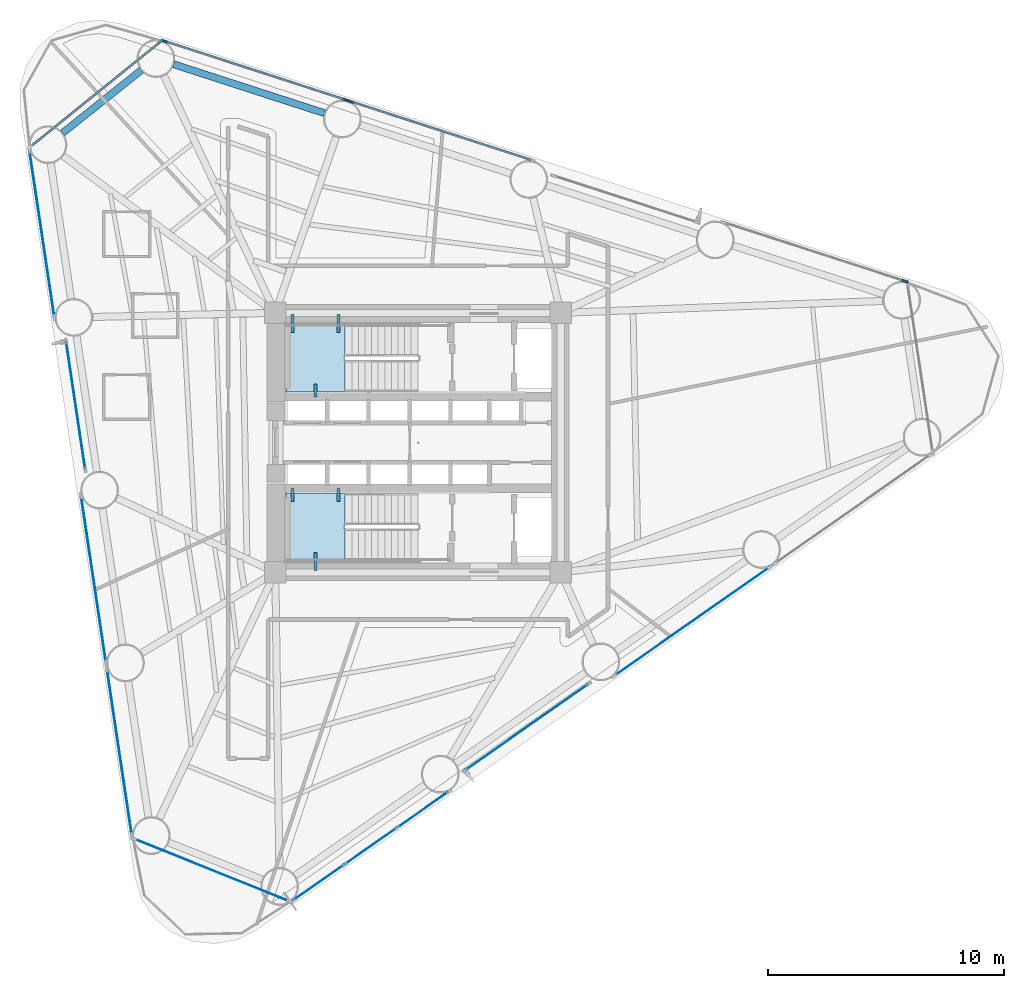
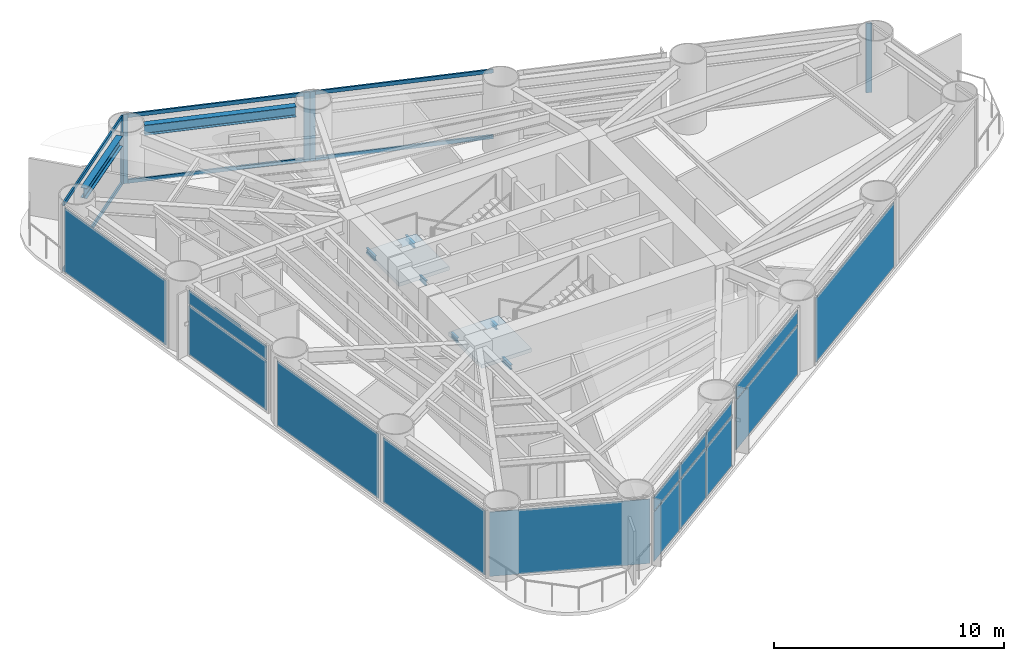
# One storey, part 4 of 11: 17 plates, 11 members, 8 beams, 2 slabs, 14 elements without a shape of their own.
"""IFC4 building model written with IfcOpenShell, lengths in metres."""

from ifc_helpers import new_model, si_unit, direction, frame, origin, origin_2d, place, context, subcontext, project, spatial, polyline, rectangle, i_section, outline, extrude, source, transform, mapped, material, layer, layer_set, material_profile, profile_set, type_object, element, aggregate, save


model = new_model("IFC4")

# Units and contexts
model_context = context("Model", 3, precision=1e-05, world=origin(), true_north=direction((0.0, 1.0)))
body_context = subcontext(model_context, "Body", "Model", "MODEL_VIEW")
ifc_project = project(units=[si_unit("LENGTHUNIT", "METRE"), si_unit("AREAUNIT", "SQUARE_METRE"), si_unit("VOLUMEUNIT", "CUBIC_METRE"), si_unit("PLANEANGLEUNIT", "RADIAN"), si_unit("MASSUNIT", "GRAM", prefix="KILO")], contexts=[model_context])

# Site, building, storey
site_placement = place(None, origin())
site = spatial("IfcSite", under=ifc_project, at=site_placement, CompositionType="ELEMENT")
building_placement = place(site_placement, origin())
building = spatial("IfcBuilding", under=site, at=building_placement, Name="Yunling Apex Tower", CompositionType="ELEMENT")
storey_placement = place(building_placement, frame((0.0, 0.0, 54.800048828125)))
storey = spatial("IfcBuildingStorey", under=building, at=storey_placement, Name="L14", CompositionType="ELEMENT", Elevation=54.800048828125)

# Beams
ifc_material_1 = material(Name="Steel Q355B", Category="steel")
ifc_material_profile_1 = material_profile(ifc_material_1, i_section(OverallWidth=0.125, OverallDepth=0.25, WebThickness=0.006103515625, FlangeThickness=0.009033203125, FilletRadius=0.011962890625, at=origin_2d()))
ifc_profile_set_1 = profile_set([ifc_material_profile_1], Name="Steel Q355B")
beam_type_1 = type_object("IfcBeamType", Name="BL-LNT-1", PredefinedType="LINTEL", material=ifc_profile_set_1)
shared_shape_1 = source(origin(), body_context, "Body", "SweptSolid", [
    extrude(i_section(OverallWidth=0.125, OverallDepth=0.25, WebThickness=0.006103515625, FlangeThickness=0.009033203125, FilletRadius=0.011962890625, at=origin_2d()), origin(), (0.0, 0.0, 1.0), 0.760009765625),
])
for number, where, z_axis, x_axis, name in (
    (1, (-5.320068359375, 5.419921875, 1.554931640625), (0.0, -1.0, 0.0), (1.0, 0.0, 0.0), "L14 ST-1 Landing Bearing Corbel 1-1"),
    (2, (-3.3701171875, 5.419921875, 1.554931640625), (0.0, -1.0, 0.0), (1.0, 0.0, 0.0), "L14 ST-1 Landing Bearing Corbel 1-2"),
    (3, (-4.344970703125, -5.419921875, 1.554931640625), (0.0, 1.0, 0.0), (-1.0, 0.0, 0.0), "L14 ST-2 Landing Bearing Corbel 1-3"),
):
    element("IfcBeam", number, at=place(storey_placement, frame(where, z_axis=z_axis, x_axis=x_axis)), inside=storey, type_object=beam_type_1, Name=name, PredefinedType="LINTEL", context=body_context, shape_type="MappedRepresentation", body=[
        mapped(shared_shape_1, transform((0.0, 0.0, 0.0), scale=1.0)),
    ])
shared_shape_2 = source(origin(), body_context, "Body", "SweptSolid", [
    extrude(i_section(OverallWidth=0.125, OverallDepth=0.25, WebThickness=0.006103515625, FlangeThickness=0.009033203125, FilletRadius=0.011962890625, at=origin_2d()), origin(), (0.0, 0.0, 1.0), 0.550048828125),
])
for number, where, z_axis, x_axis, name in (
    (4, (-4.344970703125, 1.93994140625, 1.554931640625), (0.0, 1.0, 0.0), (-1.0, 0.0, 0.0), "L14 ST-1 Landing Bearing Corbel 1-3"),
    (5, (-5.320068359375, -1.93994140625, 1.554931640625), (0.0, -1.0, 0.0), (1.0, 0.0, 0.0), "L14 ST-2 Landing Bearing Corbel 1-1"),
    (6, (-3.3701171875, -1.93994140625, 1.554931640625), (0.0, -1.0, 0.0), (1.0, 0.0, 0.0), "L14 ST-2 Landing Bearing Corbel 1-2"),
):
    element("IfcBeam", number, at=place(storey_placement, frame(where, z_axis=z_axis, x_axis=x_axis)), inside=storey, type_object=beam_type_1, Name=name, PredefinedType="LINTEL", context=body_context, shape_type="MappedRepresentation", body=[
        mapped(shared_shape_2, transform((0.0, 0.0, 0.0), scale=1.0)),
    ])
ifc_material_profile_2 = material_profile(ifc_material_1, i_section(OverallWidth=0.300048828125, OverallDepth=0.5400390625, WebThickness=0.011962890625, FlangeThickness=0.02001953125, FilletRadius=0.02392578125, at=origin_2d()))
ifc_profile_set_2 = profile_set([ifc_material_profile_2], Name="Steel Q355B")
beam_type_2 = type_object("IfcBeamType", Name="BP-SPN-1", PredefinedType="SPANDREL", material=ifc_profile_set_2)
shared_shape_3 = source(origin(), body_context, "Body", "SweptSolid", [
    extrude(i_section(OverallWidth=0.300048828125, OverallDepth=0.5400390625, WebThickness=0.011962890625, FlangeThickness=0.02001953125, FilletRadius=0.02392578125, at=origin_2d()), origin(), (0.0, 0.0, 1.0), 6.721435546875),
])
beam_1_placement = place(storey_placement, frame((-3.96484375, 13.9638671875, 3.294921875), z_axis=(-0.95126256707, 0.308382114415, 0.0), x_axis=(-0.308382114415, -0.95126256707, 0.0)))
element("IfcBeam", 7, at=beam_1_placement, inside=storey, type_object=beam_type_2, Name="L14 Perimeter Spandrel Beam 9", PredefinedType="SPANDREL", context=body_context, shape_type="MappedRepresentation", body=[
    mapped(shared_shape_3, transform((0.0, 0.0, 0.0), scale=1.0)),
])
shared_shape_4 = source(origin(), body_context, "Body", "SweptSolid", [
    extrude(i_section(OverallWidth=0.300048828125, OverallDepth=0.5400390625, WebThickness=0.011962890625, FlangeThickness=0.02001953125, FilletRadius=0.02392578125, at=origin_2d()), origin(), (0.0, 0.0, 1.0), 4.265869140625),
])
beam_2_placement = place(storey_placement, frame((-11.734619140625, 15.785888671875, 3.294921875), z_axis=(-0.781560697893, -0.623829203796, 0.0), x_axis=(0.623829203796, -0.781560697893, 0.0)))
element("IfcBeam", 8, at=beam_2_placement, inside=storey, type_object=beam_type_2, Name="L14 Perimeter Spandrel Beam 10", PredefinedType="SPANDREL", context=body_context, shape_type="MappedRepresentation", body=[
    mapped(shared_shape_4, transform((0.0, 0.0, 0.0), scale=1.0)),
])

# Curtain wall, member
ifc_material_2 = material(Name="Bronze anodised aluminium", Category="aluminium")
ifc_layer_1 = layer(ifc_material_2, 0.260009765625)
ifc_layer_set_1 = layer_set([ifc_layer_1], Name="Bronze anodised aluminium")
curtain_wall_type = type_object("IfcCurtainWallType", Name="CW-SYS-2", PredefinedType="NOTDEFINED", material=ifc_layer_set_1)
curtain_wall_1_placement = place(storey_placement, origin())
curtain_wall_1 = element("IfcCurtainWall", 9, at=curtain_wall_1_placement, inside=storey, type_object=curtain_wall_type, Name="CW-L14-F2-B1", PredefinedType="NOTDEFINED")
ifc_material_profile_3 = material_profile(ifc_material_2, rectangle(XDim=0.0849609375, YDim=0.260009765625, at=origin_2d()))
ifc_profile_set_3 = profile_set([ifc_material_profile_3], Name="Bronze anodised aluminium")
member_type_1 = type_object("IfcMemberType", Name="CW-MUL-2", PredefinedType="MULLION", material=ifc_profile_set_3)
shared_shape_5 = source(origin(), body_context, "Body", "SweptSolid", [
    extrude(rectangle(XDim=0.0849609375, YDim=0.260009765625, at=origin_2d()), origin(), (0.0, 0.0, 1.0), 3.6650390625),
])
member_1_placement = place(storey_placement, frame((20.63671875, 6.8408203125, -0.050048828125), z_axis=(0.0, 0.0, 1.0), x_axis=(-0.30835735341, -0.951270593784, 0.0)))
member_1 = element("IfcMember", 10, at=member_1_placement, type_object=member_type_1, Name="CW-SYS-2 mullion 1", PredefinedType="MULLION", context=body_context, shape_type="MappedRepresentation", body=[
    mapped(shared_shape_5, transform((0.0, 0.0, 0.0), scale=1.0)),
])
aggregate(curtain_wall_1, [member_1])

curtain_wall_2_placement = place(storey_placement, origin())
curtain_wall_2 = element("IfcCurtainWall", 11, at=curtain_wall_2_placement, inside=storey, type_object=curtain_wall_type, Name="CW-L14-F2-B3", PredefinedType="NOTDEFINED")
member_2_placement = place(storey_placement, frame((-2.84326171875, 14.451904296875, -0.050048828125), z_axis=(0.0, 0.0, 1.0), x_axis=(-0.308368457544, -0.951266994272, 0.0)))
member_2 = element("IfcMember", 12, at=member_2_placement, type_object=member_type_1, Name="CW-SYS-2 mullion 2", PredefinedType="MULLION", context=body_context, shape_type="MappedRepresentation", body=[
    mapped(shared_shape_5, transform((0.0, 0.0, 0.0), scale=1.0)),
])

# Curtain wall, members
curtain_wall_3_placement = place(storey_placement, origin())
curtain_wall_3 = element("IfcCurtainWall", 13, at=curtain_wall_3_placement, inside=storey, type_object=curtain_wall_type, Name="CW-L14-F2-B4", PredefinedType="NOTDEFINED")
member_3_placement = place(storey_placement, frame((-3.076416015625, 14.52734375, -0.050048828125), z_axis=(0.0, 0.0, 1.0), x_axis=(-0.30835735341, -0.951270593784, 0.0)))
member_3 = element("IfcMember", 14, at=member_3_placement, type_object=member_type_1, Name="CW-SYS-2 mullion 1", PredefinedType="MULLION", context=body_context, shape_type="MappedRepresentation", body=[
    mapped(shared_shape_5, transform((0.0, 0.0, 0.0), scale=1.0)),
])
member_4_placement = place(storey_placement, frame((-10.747802734375, 17.01416015625, -0.050048828125), z_axis=(0.0, 0.0, 1.0), x_axis=(-0.30835735341, -0.951270593784, 0.0)))
member_4 = element("IfcMember", 15, at=member_4_placement, type_object=member_type_1, Name="CW-SYS-2 mullion 2", PredefinedType="MULLION", context=body_context, shape_type="MappedRepresentation", body=[
    mapped(shared_shape_5, transform((0.0, 0.0, 0.0), scale=1.0)),
])

# Curtain wall, member
curtain_wall_4_placement = place(storey_placement, origin())
curtain_wall_4 = element("IfcCurtainWall", 16, at=curtain_wall_4_placement, inside=storey, type_object=curtain_wall_type, Name="CW-L14-CRN2", PredefinedType="NOTDEFINED")
member_5_placement = place(storey_placement, frame((-10.903564453125, 17.006103515625, -0.050048828125), z_axis=(0.0, 0.0, 1.0), x_axis=(0.628079941911, -0.778148820322, 0.0)))
member_5 = element("IfcMember", 17, at=member_5_placement, type_object=member_type_1, Name="CW-SYS-2 mullion 1", PredefinedType="MULLION", context=body_context, shape_type="MappedRepresentation", body=[
    mapped(shared_shape_5, transform((0.0, 0.0, 0.0), scale=1.0)),
])

# Member
ifc_material_profile_4 = material_profile(ifc_material_2, rectangle(XDim=0.0849609375, YDim=0.199951171875, at=origin_2d()))
ifc_profile_set_4 = profile_set([ifc_material_profile_4], Name="Bronze anodised aluminium")
member_type_2 = type_object("IfcMemberType", Name="CW-TRN-2", PredefinedType="USERDEFINED", material=ifc_profile_set_4)
shared_shape_6 = source(origin(), body_context, "Body", "SweptSolid", [
    extrude(rectangle(XDim=0.0849609375, YDim=0.199951171875, at=origin_2d()), origin(), (0.0, 0.0, 1.0), 7.98779296875),
])
member_6_placement = place(storey_placement, frame((4.79150390625, 11.976806640625, 0.04248046875), z_axis=(-0.951258205262, 0.308395568907, 0.0), x_axis=(-0.308395568907, -0.951258205262, 0.0)))
member_6 = element("IfcMember", 18, at=member_6_placement, type_object=member_type_2, Name="CW-SYS-2 transom 1.1", ObjectType="TRANSOM", PredefinedType="USERDEFINED", context=body_context, shape_type="MappedRepresentation", body=[
    mapped(shared_shape_6, transform((0.0, 0.0, 0.0), scale=1.0)),
])

member_7_placement = place(storey_placement, frame((4.79150390625, 11.976806640625, 3.5224609375), z_axis=(-0.951258205262, 0.308395568907, 0.0), x_axis=(-0.308395568907, -0.951258205262, 0.0)))
member_7 = element("IfcMember", 19, at=member_7_placement, type_object=member_type_2, Name="CW-SYS-2 transom 1.2", ObjectType="TRANSOM", PredefinedType="USERDEFINED", context=body_context, shape_type="MappedRepresentation", body=[
    mapped(shared_shape_6, transform((0.0, 0.0, 0.0), scale=1.0)),
])

aggregate(curtain_wall_2, [member_2, member_6, member_7])

member_8_placement = place(storey_placement, frame((-3.11279296875, 14.539306640625, 0.04248046875), z_axis=(-0.951279042821, 0.308331287237, 0.0), x_axis=(-0.308331287237, -0.951279042821, 0.0)))
member_8 = element("IfcMember", 20, at=member_8_placement, type_object=member_type_2, Name="CW-SYS-2 transom 1.1", ObjectType="TRANSOM", PredefinedType="USERDEFINED", context=body_context, shape_type="MappedRepresentation", body=[
    mapped(shared_shape_6, transform((0.0, 0.0, 0.0), scale=1.0)),
])

member_9_placement = place(storey_placement, frame((-3.11279296875, 14.539306640625, 3.5224609375), z_axis=(-0.951279042821, 0.308331287237, 0.0), x_axis=(-0.308331287237, -0.951279042821, 0.0)))
member_9 = element("IfcMember", 21, at=member_9_placement, type_object=member_type_2, Name="CW-SYS-2 transom 1.2", ObjectType="TRANSOM", PredefinedType="USERDEFINED", context=body_context, shape_type="MappedRepresentation", body=[
    mapped(shared_shape_6, transform((0.0, 0.0, 0.0), scale=1.0)),
])

aggregate(curtain_wall_3, [member_3, member_4, member_8, member_9])

shared_shape_7 = source(origin(), body_context, "Body", "SweptSolid", [
    extrude(rectangle(XDim=0.0849609375, YDim=0.199951171875, at=origin_2d()), origin(), (0.0, 0.0, 1.0), 7.03515625),
])
member_10_placement = place(storey_placement, frame((-10.933349609375, 16.982177734375, 0.04248046875), z_axis=(-0.778142739989, -0.628087474961, 0.0), x_axis=(0.628087474961, -0.778142739989, 0.0)))
member_10 = element("IfcMember", 22, at=member_10_placement, type_object=member_type_2, Name="CW-SYS-2 transom 1.1", ObjectType="TRANSOM", PredefinedType="USERDEFINED", context=body_context, shape_type="MappedRepresentation", body=[
    mapped(shared_shape_7, transform((0.0, 0.0, 0.0), scale=1.0)),
])

member_11_placement = place(storey_placement, frame((-10.933349609375, 16.982177734375, 3.5224609375), z_axis=(-0.778142739989, -0.628087474961, 0.0), x_axis=(0.628087474961, -0.778142739989, 0.0)))
member_11 = element("IfcMember", 23, at=member_11_placement, type_object=member_type_2, Name="CW-SYS-2 transom 1.2", ObjectType="TRANSOM", PredefinedType="USERDEFINED", context=body_context, shape_type="MappedRepresentation", body=[
    mapped(shared_shape_7, transform((0.0, 0.0, 0.0), scale=1.0)),
])

aggregate(curtain_wall_4, [member_5, member_10, member_11])

# Stair, slab
ifc_material_3 = material(Name="Concrete C40", Category="concrete")
stair_type = type_object("IfcStairType", Name="ST-TWR-1", PredefinedType="HALF_TURN_STAIR", material=ifc_material_3)
stair_1_placement = place(storey_placement, origin())
stair_1 = element("IfcStair", 24, at=stair_1_placement, inside=storey, type_object=stair_type, Name="L14 North Core Smokeproof Exit Stair ST-1", PredefinedType="HALF_TURN_STAIR")
ifc_layer_2 = layer(ifc_material_3, 0.195068359375)
ifc_layer_set_2 = layer_set([ifc_layer_2], Name="Concrete C40")
slab_type = type_object("IfcSlabType", Name="SL-LND-1", PredefinedType="LANDING", material=ifc_layer_set_2)
slab_1_placement = place(storey_placement, frame((0.0, 0.0, 1.679931640625)))
slab_1 = element("IfcSlab", 25, at=slab_1_placement, type_object=slab_type, Name="ST-1 landing 1", PredefinedType="LANDING", context=body_context, shape_type="SweptSolid", body=[
    extrude(outline(polyline([(-3.090087890625, 5.010009765625), (-5.60009765625, 5.010009765625), (-5.60009765625, 2.139892578125), (-3.090087890625, 2.139892578125), (-3.090087890625, 5.010009765625)])), origin(), (0.0, 0.0, 1.0), 0.195068359375),
])
aggregate(stair_1, [slab_1])

stair_2_placement = place(storey_placement, origin())
stair_2 = element("IfcStair", 26, at=stair_2_placement, inside=storey, type_object=stair_type, Name="L14 South Core Smokeproof Exit Stair ST-2", PredefinedType="HALF_TURN_STAIR")
slab_2_placement = place(storey_placement, frame((0.0, 0.0, 1.679931640625)))
slab_2 = element("IfcSlab", 27, at=slab_2_placement, type_object=slab_type, Name="ST-2 landing 1", PredefinedType="LANDING", context=body_context, shape_type="SweptSolid", body=[
    extrude(outline(polyline([(-3.090087890625, -2.139892578125), (-5.60009765625, -2.139892578125), (-5.60009765625, -5.010009765625), (-3.090087890625, -5.010009765625), (-3.090087890625, -2.139892578125)])), origin(), (0.0, 0.0, 1.0), 0.195068359375),
])
aggregate(stair_2, [slab_2])

# Plates
ifc_layer_3 = layer(ifc_material_2, 0.011962890625)
ifc_layer_set_3 = layer_set([ifc_layer_3], Name="Bronze anodised aluminium")
plate_type_1 = type_object("IfcPlateType", Name="SP-SHT-1", PredefinedType="SHEET", material=ifc_layer_set_3)
shared_shape_8 = source(origin(), body_context, "Body", "SweptSolid", [
    extrude(rectangle(XDim=1.800048828125, YDim=0.02392578125, at=origin_2d()), origin(), (0.0, 0.0, 1.0), 0.43994140625),
])
for number, where, z_axis, x_axis, name in (
    (28, (4.615966796875, -12.0625, 3.1650390625), (0.0, 0.0, 1.0), (0.819552276527, 0.573004420611, 0.0), "SP-GRV-L14-F1"),
    (29, (-14.51220703125, 1.57470703125, 3.1650390625), (0.0, 0.0, 1.0), (0.14780941113, -0.989015863362, 0.0), "SP-GRV-L14-F3"),
):
    element("IfcPlate", number, at=place(storey_placement, frame(where, z_axis=z_axis, x_axis=x_axis)), inside=storey, type_object=plate_type_1, Name=name, PredefinedType="SHEET", context=body_context, shape_type="MappedRepresentation", body=[
        mapped(shared_shape_8, transform((0.0, 0.0, 0.0), scale=1.0)),
    ])

# Curtain wall, plates
curtain_wall_5_placement = place(storey_placement, origin())
curtain_wall_5 = element("IfcCurtainWall", 30, at=curtain_wall_5_placement, inside=storey, type_object=curtain_wall_type, Name="CW-L14-F1-B1", PredefinedType="NOTDEFINED")
ifc_material_4 = material(Name="Bronze tinted low-E glass", Category="glass")
ifc_layer_4 = layer(ifc_material_4, 0.033935546875)
ifc_layer_set_4 = layer_set([ifc_layer_4], Name="Bronze tinted low-E glass")
plate_type_2 = type_object("IfcPlateType", Name="CW-PNL-2", PredefinedType="CURTAIN_PANEL", material=ifc_layer_set_4)
shared_shape_9 = source(origin(), body_context, "Body", "SweptSolid", [
    extrude(rectangle(XDim=2.60546875, YDim=0.033935546875, at=origin_2d()), origin(), (0.0, 0.0, 1.0), 2.60400390625),
])
plate_1_placement = place(storey_placement, frame((-4.2080078125, -18.64697265625, 0.07666015625), z_axis=(0.0, 0.0, 1.0), x_axis=(0.819552319691, 0.573004358875, 0.0)))
plate_1 = element("IfcPlate", 31, at=plate_1_placement, type_object=plate_type_2, Name="CW-SYS-2 panel 1.1", PredefinedType="CURTAIN_PANEL", context=body_context, shape_type="MappedRepresentation", body=[
    mapped(shared_shape_9, transform((0.0, 0.0, 0.0), scale=1.0)),
])
plate_2_placement = place(storey_placement, frame((0.209716796875, -15.55810546875, 0.07666015625), z_axis=(0.0, 0.0, 1.0), x_axis=(0.819552319691, 0.573004358875, 0.0)))
plate_2 = element("IfcPlate", 32, at=plate_2_placement, type_object=plate_type_2, Name="CW-SYS-2 panel 3.1", PredefinedType="CURTAIN_PANEL", context=body_context, shape_type="MappedRepresentation", body=[
    mapped(shared_shape_9, transform((0.0, 0.0, 0.0), scale=1.0)),
])
shared_shape_10 = source(origin(), body_context, "Body", "SweptSolid", [
    extrude(rectangle(XDim=2.60546875, YDim=0.033935546875, at=origin_2d()), origin(), (0.0, 0.0, 1.0), 0.739013671875),
])
plate_3_placement = place(storey_placement, frame((-4.2080078125, -18.64697265625, 2.7490234375), z_axis=(0.0, 0.0, 1.0), x_axis=(0.819552319691, 0.573004358875, 0.0)))
plate_3 = element("IfcPlate", 33, at=plate_3_placement, type_object=plate_type_2, Name="CW-SYS-2 panel 1.2", PredefinedType="CURTAIN_PANEL", context=body_context, shape_type="MappedRepresentation", body=[
    mapped(shared_shape_10, transform((0.0, 0.0, 0.0), scale=1.0)),
])
plate_4_placement = place(storey_placement, frame((0.209716796875, -15.55810546875, 2.7490234375), z_axis=(0.0, 0.0, 1.0), x_axis=(0.819552319691, 0.573004358875, 0.0)))
plate_4 = element("IfcPlate", 34, at=plate_4_placement, type_object=plate_type_2, Name="CW-SYS-2 panel 3.2", PredefinedType="CURTAIN_PANEL", context=body_context, shape_type="MappedRepresentation", body=[
    mapped(shared_shape_10, transform((0.0, 0.0, 0.0), scale=1.0)),
])
shared_shape_11 = source(origin(), body_context, "Body", "SweptSolid", [
    extrude(rectangle(XDim=2.64794921875, YDim=0.033935546875, at=origin_2d()), origin(), (0.0, 0.0, 1.0), 2.60400390625),
])
plate_5_placement = place(storey_placement, frame((-1.9990234375, -17.1025390625, 0.07666015625), z_axis=(0.0, 0.0, 1.0), x_axis=(0.819552319691, 0.573004358875, 0.0)))
plate_5 = element("IfcPlate", 35, at=plate_5_placement, type_object=plate_type_2, Name="CW-SYS-2 panel 2.1", PredefinedType="CURTAIN_PANEL", context=body_context, shape_type="MappedRepresentation", body=[
    mapped(shared_shape_11, transform((0.0, 0.0, 0.0), scale=1.0)),
])
shared_shape_12 = source(origin(), body_context, "Body", "SweptSolid", [
    extrude(rectangle(XDim=2.64794921875, YDim=0.033935546875, at=origin_2d()), origin(), (0.0, 0.0, 1.0), 0.739013671875),
])
plate_6_placement = place(storey_placement, frame((-1.9990234375, -17.1025390625, 2.7490234375), z_axis=(0.0, 0.0, 1.0), x_axis=(0.819552319691, 0.573004358875, 0.0)))
plate_6 = element("IfcPlate", 36, at=plate_6_placement, type_object=plate_type_2, Name="CW-SYS-2 panel 2.2", PredefinedType="CURTAIN_PANEL", context=body_context, shape_type="MappedRepresentation", body=[
    mapped(shared_shape_12, transform((0.0, 0.0, 0.0), scale=1.0)),
])
aggregate(curtain_wall_5, [plate_1, plate_3, plate_5, plate_6, plate_2, plate_4])

curtain_wall_6_placement = place(storey_placement, origin())
curtain_wall_6 = element("IfcCurtainWall", 37, at=curtain_wall_6_placement, inside=storey, type_object=curtain_wall_type, Name="CW-L14-F1-B2", PredefinedType="NOTDEFINED")
shared_shape_13 = source(origin(), body_context, "Body", "SweptSolid", [
    extrude(rectangle(XDim=6.315673828125, YDim=0.033935546875, at=origin_2d()), origin(), (0.0, 0.0, 1.0), 2.60400390625),
])
plate_7_placement = place(storey_placement, frame((4.615966796875, -12.0625, 0.07666015625), z_axis=(0.0, 0.0, 1.0), x_axis=(0.819553499175, 0.573002671888, 0.0)))
plate_7 = element("IfcPlate", 38, at=plate_7_placement, type_object=plate_type_2, Name="CW-SYS-2 panel 1.1", PredefinedType="CURTAIN_PANEL", context=body_context, shape_type="MappedRepresentation", body=[
    mapped(shared_shape_13, transform((0.0, 0.0, 0.0), scale=1.0)),
])
shared_shape_14 = source(origin(), body_context, "Body", "SweptSolid", [
    extrude(rectangle(XDim=6.315673828125, YDim=0.033935546875, at=origin_2d()), origin(), (0.0, 0.0, 1.0), 0.739013671875),
])
plate_8_placement = place(storey_placement, frame((4.615966796875, -12.0625, 2.7490234375), z_axis=(0.0, 0.0, 1.0), x_axis=(0.819553499175, 0.573002671888, 0.0)))
plate_8 = element("IfcPlate", 39, at=plate_8_placement, type_object=plate_type_2, Name="CW-SYS-2 panel 1.2", PredefinedType="CURTAIN_PANEL", context=body_context, shape_type="MappedRepresentation", body=[
    mapped(shared_shape_14, transform((0.0, 0.0, 0.0), scale=1.0)),
])
aggregate(curtain_wall_6, [plate_7, plate_8])

# Curtain wall, plate
curtain_wall_7_placement = place(storey_placement, origin())
curtain_wall_7 = element("IfcCurtainWall", 40, at=curtain_wall_7_placement, inside=storey, type_object=curtain_wall_type, Name="CW-L14-F1-B3", PredefinedType="NOTDEFINED")
shared_shape_15 = source(origin(), body_context, "Body", "SweptSolid", [
    extrude(rectangle(XDim=7.995849609375, YDim=0.033935546875, at=origin_2d()), origin(), (0.0, 0.0, 1.0), 3.41162109375),
])
plate_9_placement = place(storey_placement, frame((11.62060546875, -7.579833984375, 0.07666015625), z_axis=(0.0, 0.0, 1.0), x_axis=(0.819558082217, 0.572996116804, 0.0)))
plate_9 = element("IfcPlate", 41, at=plate_9_placement, type_object=plate_type_2, Name="CW-SYS-2 panel 1.1", PredefinedType="CURTAIN_PANEL", context=body_context, shape_type="MappedRepresentation", body=[
    mapped(shared_shape_15, transform((0.0, 0.0, 0.0), scale=1.0)),
])
aggregate(curtain_wall_7, [plate_9])

curtain_wall_8_placement = place(storey_placement, origin())
curtain_wall_8 = element("IfcCurtainWall", 42, at=curtain_wall_8_placement, inside=storey, type_object=curtain_wall_type, Name="CW-L14-CRN3", PredefinedType="NOTDEFINED")
shared_shape_16 = source(origin(), body_context, "Body", "SweptSolid", [
    extrude(rectangle(XDim=7.043212890625, YDim=0.033935546875, at=origin_2d()), origin(), (0.0, 0.0, 1.0), 3.41162109375),
])
plate_10_placement = place(storey_placement, frame((-8.75390625, -18.1240234375, 0.07666015625), z_axis=(0.0, 0.0, 1.0), x_axis=(0.927773562961, -0.373143693329, 0.0)))
plate_10 = element("IfcPlate", 43, at=plate_10_placement, type_object=plate_type_2, Name="CW-SYS-2 panel 1.1", PredefinedType="CURTAIN_PANEL", context=body_context, shape_type="MappedRepresentation", body=[
    mapped(shared_shape_16, transform((0.0, 0.0, 0.0), scale=1.0)),
])
aggregate(curtain_wall_8, [plate_10])

curtain_wall_9_placement = place(storey_placement, origin())
curtain_wall_9 = element("IfcCurtainWall", 44, at=curtain_wall_9_placement, inside=storey, type_object=curtain_wall_type, Name="CW-L14-F3-B1", PredefinedType="NOTDEFINED")
shared_shape_17 = source(origin(), body_context, "Body", "SweptSolid", [
    extrude(rectangle(XDim=7.091552734375, YDim=0.033935546875, at=origin_2d()), origin(), (0.0, 0.0, 1.0), 3.41162109375),
])
plate_11_placement = place(storey_placement, frame((-15.943115234375, 8.847900390625, 0.07666015625), z_axis=(0.0, 0.0, 1.0), x_axis=(0.147799122579, -0.989017400941, 0.0)))
plate_11 = element("IfcPlate", 45, at=plate_11_placement, type_object=plate_type_2, Name="CW-SYS-2 panel 1.1", PredefinedType="CURTAIN_PANEL", context=body_context, shape_type="MappedRepresentation", body=[
    mapped(shared_shape_17, transform((0.0, 0.0, 0.0), scale=1.0)),
])
aggregate(curtain_wall_9, [plate_11])

# Curtain wall, plates
curtain_wall_10_placement = place(storey_placement, origin())
curtain_wall_10 = element("IfcCurtainWall", 46, at=curtain_wall_10_placement, inside=storey, type_object=curtain_wall_type, Name="CW-L14-F3-B2", PredefinedType="NOTDEFINED")
shared_shape_18 = source(origin(), body_context, "Body", "SweptSolid", [
    extrude(rectangle(XDim=5.411376953125, YDim=0.033935546875, at=origin_2d()), origin(), (0.0, 0.0, 1.0), 2.60400390625),
])
plate_12_placement = place(storey_placement, frame((-14.51220703125, 1.57470703125, 0.07666015625), z_axis=(0.0, 0.0, 1.0), x_axis=(0.147800900076, -0.98901713531, 0.0)))
plate_12 = element("IfcPlate", 47, at=plate_12_placement, type_object=plate_type_2, Name="CW-SYS-2 panel 1.1", PredefinedType="CURTAIN_PANEL", context=body_context, shape_type="MappedRepresentation", body=[
    mapped(shared_shape_18, transform((0.0, 0.0, 0.0), scale=1.0)),
])
shared_shape_19 = source(origin(), body_context, "Body", "SweptSolid", [
    extrude(rectangle(XDim=5.411376953125, YDim=0.033935546875, at=origin_2d()), origin(), (0.0, 0.0, 1.0), 0.739013671875),
])
plate_13_placement = place(storey_placement, frame((-14.51220703125, 1.57470703125, 2.7490234375), z_axis=(0.0, 0.0, 1.0), x_axis=(0.147800900076, -0.98901713531, 0.0)))
plate_13 = element("IfcPlate", 48, at=plate_13_placement, type_object=plate_type_2, Name="CW-SYS-2 panel 1.2", PredefinedType="CURTAIN_PANEL", context=body_context, shape_type="MappedRepresentation", body=[
    mapped(shared_shape_19, transform((0.0, 0.0, 0.0), scale=1.0)),
])
aggregate(curtain_wall_10, [plate_12, plate_13])

# Curtain wall, plate
curtain_wall_11_placement = place(storey_placement, origin())
curtain_wall_11 = element("IfcCurtainWall", 49, at=curtain_wall_11_placement, inside=storey, type_object=curtain_wall_type, Name="CW-L14-F3-B3", PredefinedType="NOTDEFINED")
shared_shape_20 = source(origin(), body_context, "Body", "SweptSolid", [
    extrude(rectangle(XDim=7.09130859375, YDim=0.033935546875, at=origin_2d()), origin(), (0.0, 0.0, 1.0), 3.41162109375),
])
plate_14_placement = place(storey_placement, frame((-13.75390625, -5.799072265625, 0.07666015625), z_axis=(0.0, 0.0, 1.0), x_axis=(0.147814641525, -0.98901508166, 0.0)))
plate_14 = element("IfcPlate", 50, at=plate_14_placement, type_object=plate_type_2, Name="CW-SYS-2 panel 1.1", PredefinedType="CURTAIN_PANEL", context=body_context, shape_type="MappedRepresentation", body=[
    mapped(shared_shape_20, transform((0.0, 0.0, 0.0), scale=1.0)),
])
aggregate(curtain_wall_11, [plate_14])

curtain_wall_12_placement = place(storey_placement, origin())
curtain_wall_12 = element("IfcCurtainWall", 51, at=curtain_wall_12_placement, inside=storey, type_object=curtain_wall_type, Name="CW-L14-F3-B4", PredefinedType="NOTDEFINED")
plate_15_placement = place(storey_placement, frame((-12.659423828125, -13.12255859375, 0.07666015625), z_axis=(0.0, 0.0, 1.0), x_axis=(0.14780114022, -0.989017099422, 0.0)))
plate_15 = element("IfcPlate", 52, at=plate_15_placement, type_object=plate_type_2, Name="CW-SYS-2 panel 1.1", PredefinedType="CURTAIN_PANEL", context=body_context, shape_type="MappedRepresentation", body=[
    mapped(shared_shape_20, transform((0.0, 0.0, 0.0), scale=1.0)),
])
aggregate(curtain_wall_12, [plate_15])

save(model, "model.ifc")
